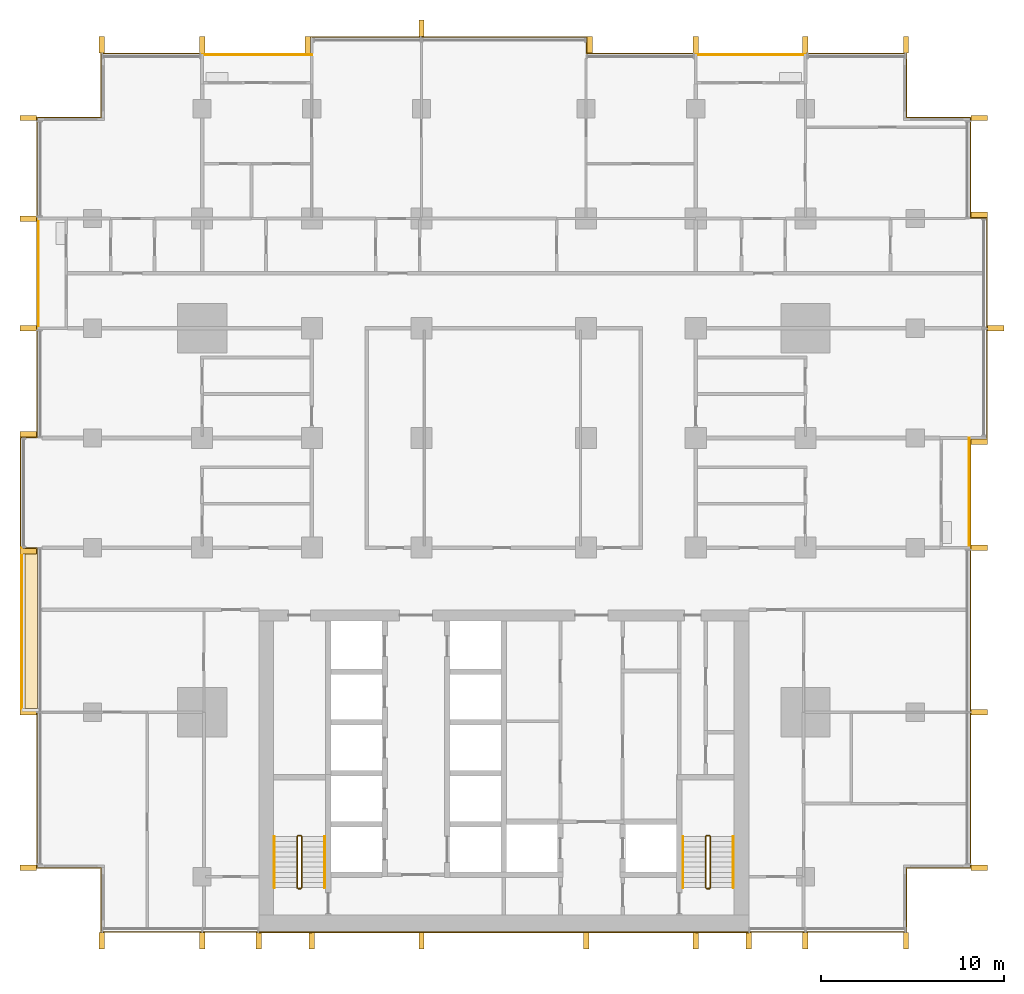
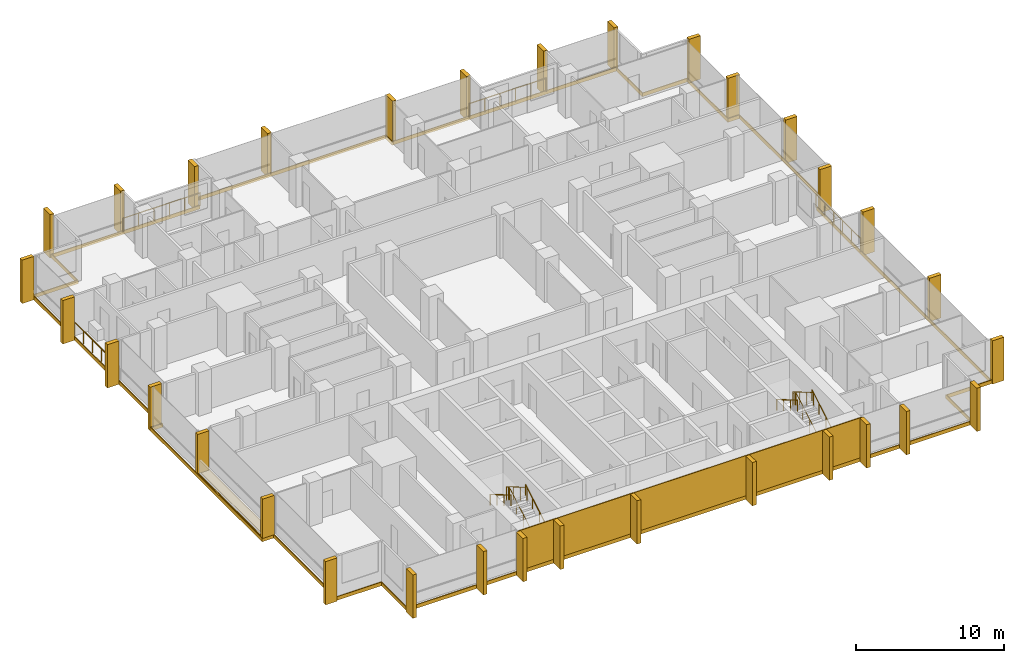
# One storey, part 17 of 17: 32 shading devices, 10 railings, 8 coverings.
"""IFC4 building model written with IfcOpenShell, lengths in metres."""

from ifc_helpers import new_model, si_unit, direction, frame, origin, origin_2d, place, context, subcontext, project, spatial, polyline, rectangle, circle, outline, extrude, material, layer, layer_set, type_object, element, save


model = new_model("IFC4")

# Units and contexts
model_context = context("Model", 3, precision=1e-05, world=origin(), true_north=direction((0.0, 1.0)))
body_context = subcontext(model_context, "Body", "Model", "MODEL_VIEW")
ifc_project = project(units=[si_unit("LENGTHUNIT", "METRE"), si_unit("AREAUNIT", "SQUARE_METRE"), si_unit("VOLUMEUNIT", "CUBIC_METRE"), si_unit("PLANEANGLEUNIT", "RADIAN"), si_unit("MASSUNIT", "GRAM", prefix="KILO")], contexts=[model_context])

# Site, building, storey
site_placement = place(None, origin())
site = spatial("IfcSite", under=ifc_project, at=site_placement, CompositionType="ELEMENT")
building_placement = place(site_placement, origin())
building = spatial("IfcBuilding", under=site, at=building_placement, Name="Finial Court Residences", CompositionType="ELEMENT")
storey_placement = place(building_placement, frame((0.0, 0.0, 120.699951171875)))
storey = spatial("IfcBuildingStorey", under=building, at=storey_placement, Name="L30", CompositionType="ELEMENT", Elevation=120.699951171875)

# Railings
ifc_material_1 = material(Name="Bronze anodised aluminium", Category="aluminium")
railing_type_1 = type_object("IfcRailingType", Name="Balcony guard 1100", PredefinedType="GUARDRAIL", material=ifc_material_1)
for number, where, name in (
    (1, (-16.5, 22.449951171875, 0.0), "E-L30-BALN2-R"),
    (2, (10.5, 22.449951171875, 0.0), "E-L30-BALN6-R"),
):
    element("IfcRailing", number, at=place(storey_placement, frame(where)), inside=storey, type_object=railing_type_1, Name=name, PredefinedType="GUARDRAIL", context=body_context, shape_type="SweptSolid", body=[
        extrude(circle(Radius=0.02392578125, at=origin_2d()), frame((0.0, 0.0, 1.076171875), z_axis=(1.0, 0.0, 0.0), x_axis=(0.0, 1.0, 0.0)), (0.0, 0.0, 1.0), 6.0),
        extrude(circle(Radius=0.02099609375, at=origin_2d()), origin(), (0.0, 0.0, 1.0), 1.052001953125),
        extrude(circle(Radius=0.02099609375, at=origin_2d()), frame((1.199951171875, 0.0, 0.0)), (0.0, 0.0, 1.0), 1.052001953125),
        extrude(circle(Radius=0.02099609375, at=origin_2d()), frame((2.39990234375, 0.0, 0.0)), (0.0, 0.0, 1.0), 1.052001953125),
        extrude(circle(Radius=0.02099609375, at=origin_2d()), frame((3.60009765625, 0.0, 0.0)), (0.0, 0.0, 1.0), 1.052001953125),
        extrude(circle(Radius=0.02099609375, at=origin_2d()), frame((4.800048828125, 0.0, 0.0)), (0.0, 0.0, 1.0), 1.052001953125),
        extrude(circle(Radius=0.02099609375, at=origin_2d()), frame((6.0, 0.0, 0.0)), (0.0, 0.0, 1.0), 1.052001953125),
    ])
for number, where, name in (
    (3, (25.449951171875, -4.5, 0.0), "E-L30-BALE3-R"),
    (4, (-25.449951171875, 7.5, 0.0), "E-L30-BALW5-R"),
):
    element("IfcRailing", number, at=place(storey_placement, frame(where)), inside=storey, type_object=railing_type_1, Name=name, PredefinedType="GUARDRAIL", context=body_context, shape_type="SweptSolid", body=[
        extrude(circle(Radius=0.02392578125, at=origin_2d()), frame((0.0, 0.0, 1.076171875), z_axis=(0.0, 1.0, 0.0), x_axis=(-1.0, 0.0, 0.0)), (0.0, 0.0, 1.0), 6.0),
        extrude(circle(Radius=0.02099609375, at=origin_2d()), origin(), (0.0, 0.0, 1.0), 1.052001953125),
        extrude(circle(Radius=0.02099609375, at=origin_2d()), frame((0.0, 1.199951171875, 0.0)), (0.0, 0.0, 1.0), 1.052001953125),
        extrude(circle(Radius=0.02099609375, at=origin_2d()), frame((0.0, 2.39990234375, 0.0)), (0.0, 0.0, 1.0), 1.052001953125),
        extrude(circle(Radius=0.02099609375, at=origin_2d()), frame((0.0, 3.60009765625, 0.0)), (0.0, 0.0, 1.0), 1.052001953125),
        extrude(circle(Radius=0.02099609375, at=origin_2d()), frame((0.0, 4.800048828125, 0.0)), (0.0, 0.0, 1.0), 1.052001953125),
        extrude(circle(Radius=0.02099609375, at=origin_2d()), frame((0.0, 6.0, 0.0)), (0.0, 0.0, 1.0), 1.052001953125),
    ])

# Coverings
ifc_material_2 = material(Name="Natural limestone", Category="masonry")
ifc_layer_1 = layer(ifc_material_2, 0.06005859375)
ifc_layer_set_1 = layer_set([ifc_layer_1], Name="Limestone cladding to the blind core face 60")
covering_type_1 = type_object("IfcCoveringType", Name="Limestone cladding to the blind core face 60", PredefinedType="CLADDING", material=ifc_layer_set_1)
covering_1_placement = place(storey_placement, origin())
element("IfcCovering", 5, at=covering_1_placement, inside=storey, type_object=covering_type_1, Name="E-L30-CLAD1", PredefinedType="CLADDING", context=body_context, shape_type="SweptSolid", body=[
    extrude(outline(polyline([(-10.5, -25.56005859375), (-10.5, -25.5), (-13.39990234375, -25.5), (-13.39990234375, -25.56005859375), (-10.5, -25.56005859375)])), origin(), (0.0, 0.0, 1.0), 3.300048828125),
])
covering_2_placement = place(storey_placement, origin())
element("IfcCovering", 6, at=covering_2_placement, inside=storey, type_object=covering_type_1, Name="E-L30-CLAD2", PredefinedType="CLADDING", context=body_context, shape_type="SweptSolid", body=[
    extrude(outline(polyline([(-4.5, -25.56005859375), (-4.5, -25.5), (-10.5, -25.5), (-10.5, -25.56005859375), (-4.5, -25.56005859375)])), origin(), (0.0, 0.0, 1.0), 3.300048828125),
])
covering_3_placement = place(storey_placement, origin())
element("IfcCovering", 7, at=covering_3_placement, inside=storey, type_object=covering_type_1, Name="E-L30-CLAD3", PredefinedType="CLADDING", context=body_context, shape_type="SweptSolid", body=[
    extrude(outline(polyline([(4.5, -25.56005859375), (4.5, -25.5), (-4.5, -25.5), (-4.5, -25.56005859375), (4.5, -25.56005859375)])), origin(), (0.0, 0.0, 1.0), 3.300048828125),
])
covering_4_placement = place(storey_placement, origin())
element("IfcCovering", 8, at=covering_4_placement, inside=storey, type_object=covering_type_1, Name="E-L30-CLAD4", PredefinedType="CLADDING", context=body_context, shape_type="SweptSolid", body=[
    extrude(outline(polyline([(10.5, -25.56005859375), (10.5, -25.5), (4.5, -25.5), (4.5, -25.56005859375), (10.5, -25.56005859375)])), origin(), (0.0, 0.0, 1.0), 3.300048828125),
])
covering_5_placement = place(storey_placement, origin())
element("IfcCovering", 9, at=covering_5_placement, inside=storey, type_object=covering_type_1, Name="E-L30-CLAD5", PredefinedType="CLADDING", context=body_context, shape_type="SweptSolid", body=[
    extrude(outline(polyline([(13.39990234375, -25.56005859375), (13.39990234375, -25.5), (10.5, -25.5), (10.5, -25.56005859375), (13.39990234375, -25.56005859375)])), origin(), (0.0, 0.0, 1.0), 3.300048828125),
])

# Shading devices
shading_device_type = type_object("IfcShadingDeviceType", Name="Limestone fin 300 x 900", PredefinedType="USERDEFINED", material=ifc_material_2)
for number, where, z_axis, x_axis, name in (
    (10, (-22.0, 23.010009765625, -0.300048828125), (0.0, 0.0, 1.0), (1.0, 0.0, 0.0), "E-L30-FIN-N1"),
    (11, (-16.5, 23.010009765625, -0.300048828125), (0.0, 0.0, 1.0), (1.0, 0.0, 0.0), "E-L30-FIN-N2"),
    (12, (-10.7099609375, 23.010009765625, -0.300048828125), (0.0, 0.0, 1.0), (1.0, 0.0, 0.0), "E-L30-FIN-N3"),
    (13, (-4.5, 23.909912109375, -0.300048828125), (0.0, 0.0, 1.0), (1.0, 0.0, 0.0), "E-L30-FIN-N4"),
    (14, (4.7099609375, 23.010009765625, -0.300048828125), (0.0, 0.0, 1.0), (1.0, 0.0, 0.0), "E-L30-FIN-N5"),
    (15, (10.5, 23.010009765625, -0.300048828125), (0.0, 0.0, 1.0), (1.0, 0.0, 0.0), "E-L30-FIN-N6"),
    (16, (16.5, 23.010009765625, -0.300048828125), (0.0, 0.0, 1.0), (1.0, 0.0, 0.0), "E-L30-FIN-N7"),
    (17, (22.0, 23.010009765625, -0.300048828125), (0.0, 0.0, 1.0), (1.0, 0.0, 0.0), "E-L30-FIN-N8"),
):
    element("IfcShadingDevice", number, at=place(storey_placement, frame(where, z_axis=z_axis, x_axis=x_axis)), inside=storey, type_object=shading_device_type, Name=name, ObjectType="FIN", PredefinedType="USERDEFINED", context=body_context, shape_type="SweptSolid", body=[
        extrude(rectangle(XDim=0.300048828125, YDim=0.89990234375, at=origin_2d()), origin(), (0.0, 0.0, 1.0), 3.580078125),
    ])
for number, where, z_axis, x_axis, name in (
    (18, (26.010009765625, -22.0, -0.300048828125), (0.0, 0.0, 1.0), (1.0, 0.0, 0.0), "E-L30-FIN-E9"),
    (19, (26.010009765625, -13.5, -0.300048828125), (0.0, 0.0, 1.0), (1.0, 0.0, 0.0), "E-L30-FIN-E10"),
    (20, (26.010009765625, -4.5, -0.300048828125), (0.0, 0.0, 1.0), (1.0, 0.0, 0.0), "E-L30-FIN-E11"),
    (21, (26.010009765625, 1.2900390625, -0.300048828125), (0.0, 0.0, 1.0), (1.0, 0.0, 0.0), "E-L30-FIN-E12"),
    (22, (26.909912109375, 7.5, -0.300048828125), (0.0, 0.0, 1.0), (1.0, 0.0, 0.0), "E-L30-FIN-E13"),
    (23, (26.010009765625, 13.7099609375, -0.300048828125), (0.0, 0.0, 1.0), (1.0, 0.0, 0.0), "E-L30-FIN-E14"),
    (24, (26.010009765625, 19.0, -0.300048828125), (0.0, 0.0, 1.0), (1.0, 0.0, 0.0), "E-L30-FIN-E15"),
):
    element("IfcShadingDevice", number, at=place(storey_placement, frame(where, z_axis=z_axis, x_axis=x_axis)), inside=storey, type_object=shading_device_type, Name=name, ObjectType="FIN", PredefinedType="USERDEFINED", context=body_context, shape_type="SweptSolid", body=[
        extrude(rectangle(XDim=0.89990234375, YDim=0.300048828125, at=origin_2d()), origin(), (0.0, 0.0, 1.0), 3.580078125),
    ])
for number, where, z_axis, x_axis, name in (
    (25, (-22.0, -26.010009765625, -0.300048828125), (0.0, 0.0, 1.0), (1.0, 0.0, 0.0), "E-L30-FIN-S16"),
    (26, (-16.5, -26.010009765625, -0.300048828125), (0.0, 0.0, 1.0), (1.0, 0.0, 0.0), "E-L30-FIN-S17"),
    (27, (-13.39990234375, -26.010009765625, -0.300048828125), (0.0, 0.0, 1.0), (1.0, 0.0, 0.0), "E-L30-FIN-S18"),
    (28, (-10.5, -26.010009765625, -0.300048828125), (0.0, 0.0, 1.0), (1.0, 0.0, 0.0), "E-L30-FIN-S19"),
    (29, (-4.5, -26.010009765625, -0.300048828125), (0.0, 0.0, 1.0), (1.0, 0.0, 0.0), "E-L30-FIN-S20"),
    (30, (4.5, -26.010009765625, -0.300048828125), (0.0, 0.0, 1.0), (1.0, 0.0, 0.0), "E-L30-FIN-S21"),
    (31, (10.5, -26.010009765625, -0.300048828125), (0.0, 0.0, 1.0), (1.0, 0.0, 0.0), "E-L30-FIN-S22"),
    (32, (13.39990234375, -26.010009765625, -0.300048828125), (0.0, 0.0, 1.0), (1.0, 0.0, 0.0), "E-L30-FIN-S23"),
    (33, (16.5, -26.010009765625, -0.300048828125), (0.0, 0.0, 1.0), (1.0, 0.0, 0.0), "E-L30-FIN-S24"),
    (34, (22.0, -26.010009765625, -0.300048828125), (0.0, 0.0, 1.0), (1.0, 0.0, 0.0), "E-L30-FIN-S25"),
):
    element("IfcShadingDevice", number, at=place(storey_placement, frame(where, z_axis=z_axis, x_axis=x_axis)), inside=storey, type_object=shading_device_type, Name=name, ObjectType="FIN", PredefinedType="USERDEFINED", context=body_context, shape_type="SweptSolid", body=[
        extrude(rectangle(XDim=0.300048828125, YDim=0.89990234375, at=origin_2d()), origin(), (0.0, 0.0, 1.0), 3.580078125),
    ])
shading_device_placement = place(storey_placement, frame((-26.010009765625, -22.0, -0.300048828125), z_axis=(0.0, 0.0, 1.0), x_axis=(1.0, 0.0, 0.0)))
element("IfcShadingDevice", 35, at=shading_device_placement, inside=storey, type_object=shading_device_type, Name="E-L30-FIN-W26", ObjectType="FIN", PredefinedType="USERDEFINED", context=body_context, shape_type="SweptSolid", body=[
    extrude(rectangle(XDim=0.89990234375, YDim=0.300048828125, at=origin_2d()), origin(), (0.0, 0.0, 1.0), 3.580078125),
])
for number, where, z_axis, x_axis, name in (
    (36, (-26.010009765625, -13.5, 0.0400390625), (0.0, 0.0, 1.0), (1.0, 0.0, 0.0), "E-L30-FIN-W27"),
    (37, (-26.010009765625, -4.7099609375, 0.0400390625), (0.0, 0.0, 1.0), (1.0, 0.0, 0.0), "E-L30-FIN-W28"),
):
    element("IfcShadingDevice", number, at=place(storey_placement, frame(where, z_axis=z_axis, x_axis=x_axis)), inside=storey, type_object=shading_device_type, Name=name, ObjectType="FIN", PredefinedType="USERDEFINED", context=body_context, shape_type="SweptSolid", body=[
        extrude(rectangle(XDim=0.89990234375, YDim=0.300048828125, at=origin_2d()), origin(), (0.0, 0.0, 1.0), 3.239990234375),
    ])
for number, where, z_axis, x_axis, name in (
    (38, (-26.010009765625, 1.7099609375, -0.300048828125), (0.0, 0.0, 1.0), (1.0, 0.0, 0.0), "E-L30-FIN-W29"),
    (39, (-26.010009765625, 7.5, -0.300048828125), (0.0, 0.0, 1.0), (1.0, 0.0, 0.0), "E-L30-FIN-W30"),
    (40, (-26.010009765625, 13.5, -0.300048828125), (0.0, 0.0, 1.0), (1.0, 0.0, 0.0), "E-L30-FIN-W31"),
    (41, (-26.010009765625, 19.0, -0.300048828125), (0.0, 0.0, 1.0), (1.0, 0.0, 0.0), "E-L30-FIN-W32"),
):
    element("IfcShadingDevice", number, at=place(storey_placement, frame(where, z_axis=z_axis, x_axis=x_axis)), inside=storey, type_object=shading_device_type, Name=name, ObjectType="FIN", PredefinedType="USERDEFINED", context=body_context, shape_type="SweptSolid", body=[
        extrude(rectangle(XDim=0.89990234375, YDim=0.300048828125, at=origin_2d()), origin(), (0.0, 0.0, 1.0), 3.580078125),
    ])

# Coverings
ifc_material_3 = material(Name="Pale limestone", Category="masonry")
ifc_layer_2 = layer(ifc_material_3, 0.06005859375)
ifc_layer_set_2 = layer_set([ifc_layer_2], Name="Pale limestone slab-edge band 60")
covering_type_2 = type_object("IfcCoveringType", Name="Pale limestone slab-edge band 60", PredefinedType="CLADDING", material=ifc_layer_set_2)
covering_6_placement = place(storey_placement, frame((0.0, 0.0, -0.300048828125)))
element("IfcCovering", 42, at=covering_6_placement, inside=storey, type_object=covering_type_2, Name="E-L30-BAND1", PredefinedType="CLADDING", context=body_context, shape_type="SweptSolid", body=[
    extrude(outline(polyline([(-25.56005859375, 1.56005859375), (-25.56005859375, 19.06005859375), (-22.06005859375, 19.06005859375), (-22.06005859375, 22.56005859375), (-10.56005859375, 22.56005859375), (-10.56005859375, 23.4599609375), (4.56005859375, 23.4599609375), (4.56005859375, 22.56005859375), (22.06005859375, 22.56005859375), (22.06005859375, 19.06005859375), (25.56005859375, 19.06005859375), (25.56005859375, 13.56005859375), (26.4599609375, 13.56005859375), (26.4599609375, 1.43994140625), (25.56005859375, 1.43994140625), (25.56005859375, -22.06005859375), (22.06005859375, -22.06005859375), (22.06005859375, -25.56005859375), (-22.06005859375, -25.56005859375), (-22.06005859375, -22.06005859375), (-25.56005859375, -22.06005859375), (-25.56005859375, -13.56005859375), (-26.4599609375, -13.56005859375), (-26.4599609375, 1.56005859375), (-25.56005859375, 1.56005859375)]), holes=[polyline([(-26.39990234375, -13.5), (-25.5, -13.5), (-25.5, -22.0), (-22.0, -22.0), (-22.0, -25.5), (22.0, -25.5), (22.0, -22.0), (25.5, -22.0), (25.5, -4.5), (25.5, 1.5), (26.39990234375, 1.5), (26.39990234375, 7.5), (26.39990234375, 13.5), (25.5, 13.5), (25.5, 19.0), (22.0, 19.0), (22.0, 22.5), (16.5, 22.5), (10.5, 22.5), (4.5, 22.5), (4.5, 23.39990234375), (-4.5, 23.39990234375), (-10.5, 23.39990234375), (-10.5, 22.5), (-16.5, 22.5), (-22.0, 22.5), (-22.0, 19.0), (-25.5, 19.0), (-25.5, 13.5), (-25.5, 7.5), (-25.5, 1.5), (-26.39990234375, 1.5), (-26.39990234375, -4.5), (-26.39990234375, -13.5)])]), origin(), (0.0, 0.0, 1.0), 0.300048828125),
])
ifc_material_4 = material(Name="Bitumen membrane")
ifc_layer_3 = layer(ifc_material_4, 0.0400390625)
ifc_layer_set_3 = layer_set([ifc_layer_3], Name="Push box roofing, bitumen membrane 40")
covering_type_3 = type_object("IfcCoveringType", Name="Push box roofing, bitumen membrane 40", PredefinedType="ROOFING", material=ifc_layer_set_3)
covering_7_placement = place(storey_placement, origin())
element("IfcCovering", 43, at=covering_7_placement, inside=storey, type_object=covering_type_3, Name="E-L30-LED1", PredefinedType="ROOFING", context=body_context, shape_type="SweptSolid", body=[
    extrude(outline(polyline([(-25.5, -13.300048828125), (-26.199951171875, -13.300048828125), (-26.199951171875, -4.5), (-25.5, -4.5), (-25.5, -13.300048828125)])), origin(), (0.0, 0.0, 1.0), 0.0400390625),
])
covering_8_placement = place(storey_placement, origin())
element("IfcCovering", 44, at=covering_8_placement, inside=storey, type_object=covering_type_3, Name="E-L30-LED1b", PredefinedType="ROOFING", context=body_context, shape_type="SweptSolid", body=[
    extrude(outline(polyline([(-25.5, -13.5), (-26.39990234375, -13.5), (-26.39990234375, -4.5), (-26.35009765625, -4.5), (-26.35009765625, -13.300048828125), (-26.35009765625, -13.300048828125), (-26.35009765625, -13.449951171875), (-25.5, -13.449951171875), (-25.5, -13.5)])), origin(), (0.0, 0.0, 1.0), 0.0400390625),
])

# Railings
ifc_material_5 = material(Name="Stainless steel railing", Category="steel")
railing_type_2 = type_object("IfcRailingType", Name="Stair guard 1100", PredefinedType="GUARDRAIL", material=ifc_material_5)
railing_1_placement = place(storey_placement, frame((-11.10009765625, -23.14990234375, 0.0)))
element("IfcRailing", 45, at=railing_1_placement, inside=storey, type_object=railing_type_2, Name="L30 ST-1 stair guard 1", PredefinedType="GUARDRAIL", context=body_context, shape_type="SweptSolid", body=[
    extrude(circle(Radius=0.02392578125, at=origin_2d()), frame((0.0, 0.0, 1.076171875), z_axis=(-1.0, 0.0, 0.0), x_axis=(0.0, -1.0, 0.0)), (0.0, 0.0, 1.0), 0.14990234375),
    extrude(circle(Radius=0.02392578125, at=origin_2d()), frame((-0.14990234375, 0.0, 1.076171875), z_axis=(0.760004195007, 0.189305074214, 0.621737253547), x_axis=(-0.241699205484, 0.970351222016, 0.0)), (0.0, 0.0, 1.0), 0.26318359375),
    extrude(circle(Radius=0.02392578125, at=origin_2d()), frame((0.050048828125, 0.0498046875, 1.23974609375), z_axis=(0.0, 0.863360870873, 0.504586966384), x_axis=(-1.0, 0.0, 0.0)), (0.0, 0.0, 1.0), 3.2431640625),
    extrude(circle(Radius=0.02392578125, at=origin_2d()), frame((0.050048828125, 2.849853515625, 2.8759765625), z_axis=(-0.707106781187, 0.707106781187, 0.0), x_axis=(-0.707106781187, -0.707106781187, 0.0)), (0.0, 0.0, 1.0), 0.07080078125),
    extrude(circle(Radius=0.02392578125, at=origin_2d()), frame((0.0, 2.89990234375, 2.8759765625), z_axis=(-1.0, 0.0, 0.0), x_axis=(0.0, -1.0, 0.0)), (0.0, 0.0, 1.0), 0.14990234375),
    extrude(circle(Radius=0.02392578125, at=origin_2d()), frame((-0.14990234375, 2.89990234375, 2.8759765625), z_axis=(-0.280808744504, -0.280808744504, 0.917765164963), x_axis=(0.707106781187, -0.707106781187, 0.0)), (0.0, 0.0, 1.0), 0.17822265625),
    extrude(circle(Radius=0.02392578125, at=origin_2d()), frame((-0.199951171875, 2.849853515625, 3.03955078125), z_axis=(0.0, -0.863360870873, 0.504586966384), x_axis=(1.0, 0.0, 0.0)), (0.0, 0.0, 1.0), 3.2431640625),
    extrude(circle(Radius=0.02099609375, at=origin_2d()), origin(), (0.0, 0.0, 1.0), 1.052001953125),
    extrude(circle(Radius=0.02099609375, at=origin_2d()), frame((-0.14990234375, 0.0, 0.0)), (0.0, 0.0, 1.0), 1.052001953125),
    extrude(circle(Radius=0.02099609375, at=origin_2d()), frame((0.050048828125, 0.0498046875, 0.16357421875)), (0.0, 0.0, 1.0), 1.052001953125),
    extrude(circle(Radius=0.02099609375, at=origin_2d()), frame((0.050048828125, 0.983154296875, 0.708984375)), (0.0, 0.0, 1.0), 1.052001953125),
    extrude(circle(Radius=0.02099609375, at=origin_2d()), frame((0.050048828125, 1.91650390625, 1.254638671875)), (0.0, 0.0, 1.0), 1.052001953125),
    extrude(circle(Radius=0.02099609375, at=origin_2d()), frame((0.050048828125, 2.849853515625, 1.800048828125)), (0.0, 0.0, 1.0), 1.052001953125),
    extrude(circle(Radius=0.02099609375, at=origin_2d()), frame((0.0, 2.89990234375, 1.800048828125)), (0.0, 0.0, 1.0), 1.052001953125),
    extrude(circle(Radius=0.02099609375, at=origin_2d()), frame((-0.14990234375, 2.89990234375, 1.800048828125)), (0.0, 0.0, 1.0), 1.052001953125),
    extrude(circle(Radius=0.02099609375, at=origin_2d()), frame((-0.199951171875, 2.849853515625, 1.963623046875)), (0.0, 0.0, 1.0), 1.052001953125),
    extrude(circle(Radius=0.02099609375, at=origin_2d()), frame((-0.199951171875, 1.91650390625, 2.509033203125)), (0.0, 0.0, 1.0), 1.052001953125),
    extrude(circle(Radius=0.02099609375, at=origin_2d()), frame((-0.199951171875, 0.983154296875, 3.0546875)), (0.0, 0.0, 1.0), 1.052001953125),
    extrude(circle(Radius=0.02099609375, at=origin_2d()), frame((-0.199951171875, 0.0498046875, 3.60009765625)), (0.0, 0.0, 1.0), 1.052001953125),
])
railing_2_placement = place(storey_placement, frame((11.25, -23.14990234375, 0.0)))
element("IfcRailing", 46, at=railing_2_placement, inside=storey, type_object=railing_type_2, Name="L30 ST-2 stair guard 1", PredefinedType="GUARDRAIL", context=body_context, shape_type="SweptSolid", body=[
    extrude(circle(Radius=0.02392578125, at=origin_2d()), frame((0.0, 0.0, 1.076171875), z_axis=(-1.0, 0.0, 0.0), x_axis=(0.0, -1.0, 0.0)), (0.0, 0.0, 1.0), 0.14990234375),
    extrude(circle(Radius=0.02392578125, at=origin_2d()), frame((-0.14990234375, 0.0, 1.076171875), z_axis=(0.760004195007, 0.189305074214, 0.621737253547), x_axis=(-0.241699205484, 0.970351222016, 0.0)), (0.0, 0.0, 1.0), 0.26318359375),
    extrude(circle(Radius=0.02392578125, at=origin_2d()), frame((0.050048828125, 0.0498046875, 1.23974609375), z_axis=(0.0, 0.863360870873, 0.504586966384), x_axis=(-1.0, 0.0, 0.0)), (0.0, 0.0, 1.0), 3.2431640625),
    extrude(circle(Radius=0.02392578125, at=origin_2d()), frame((0.050048828125, 2.849853515625, 2.8759765625), z_axis=(-0.707106781187, 0.707106781187, 0.0), x_axis=(-0.707106781187, -0.707106781187, 0.0)), (0.0, 0.0, 1.0), 0.07080078125),
    extrude(circle(Radius=0.02392578125, at=origin_2d()), frame((0.0, 2.89990234375, 2.8759765625), z_axis=(-1.0, 0.0, 0.0), x_axis=(0.0, -1.0, 0.0)), (0.0, 0.0, 1.0), 0.14990234375),
    extrude(circle(Radius=0.02392578125, at=origin_2d()), frame((-0.14990234375, 2.89990234375, 2.8759765625), z_axis=(-0.280808744504, -0.280808744504, 0.917765164963), x_axis=(0.707106781187, -0.707106781187, 0.0)), (0.0, 0.0, 1.0), 0.17822265625),
    extrude(circle(Radius=0.02392578125, at=origin_2d()), frame((-0.199951171875, 2.849853515625, 3.03955078125), z_axis=(0.0, -0.863360870873, 0.504586966384), x_axis=(1.0, 0.0, 0.0)), (0.0, 0.0, 1.0), 3.2431640625),
    extrude(circle(Radius=0.02099609375, at=origin_2d()), origin(), (0.0, 0.0, 1.0), 1.052001953125),
    extrude(circle(Radius=0.02099609375, at=origin_2d()), frame((-0.14990234375, 0.0, 0.0)), (0.0, 0.0, 1.0), 1.052001953125),
    extrude(circle(Radius=0.02099609375, at=origin_2d()), frame((0.050048828125, 0.0498046875, 0.16357421875)), (0.0, 0.0, 1.0), 1.052001953125),
    extrude(circle(Radius=0.02099609375, at=origin_2d()), frame((0.050048828125, 0.983154296875, 0.708984375)), (0.0, 0.0, 1.0), 1.052001953125),
    extrude(circle(Radius=0.02099609375, at=origin_2d()), frame((0.050048828125, 1.91650390625, 1.254638671875)), (0.0, 0.0, 1.0), 1.052001953125),
    extrude(circle(Radius=0.02099609375, at=origin_2d()), frame((0.050048828125, 2.849853515625, 1.800048828125)), (0.0, 0.0, 1.0), 1.052001953125),
    extrude(circle(Radius=0.02099609375, at=origin_2d()), frame((0.0, 2.89990234375, 1.800048828125)), (0.0, 0.0, 1.0), 1.052001953125),
    extrude(circle(Radius=0.02099609375, at=origin_2d()), frame((-0.14990234375, 2.89990234375, 1.800048828125)), (0.0, 0.0, 1.0), 1.052001953125),
    extrude(circle(Radius=0.02099609375, at=origin_2d()), frame((-0.199951171875, 2.849853515625, 1.963623046875)), (0.0, 0.0, 1.0), 1.052001953125),
    extrude(circle(Radius=0.02099609375, at=origin_2d()), frame((-0.199951171875, 1.91650390625, 2.509033203125)), (0.0, 0.0, 1.0), 1.052001953125),
    extrude(circle(Radius=0.02099609375, at=origin_2d()), frame((-0.199951171875, 0.983154296875, 3.0546875)), (0.0, 0.0, 1.0), 1.052001953125),
    extrude(circle(Radius=0.02099609375, at=origin_2d()), frame((-0.199951171875, 0.0498046875, 3.60009765625)), (0.0, 0.0, 1.0), 1.052001953125),
])
railing_type_3 = type_object("IfcRailingType", Name="Stair handrail 900", PredefinedType="HANDRAIL", material=ifc_material_5)
railing_3_placement = place(storey_placement, frame((-9.800048828125, -23.10009765625, 0.16357421875)))
element("IfcRailing", 47, at=railing_3_placement, inside=storey, type_object=railing_type_3, Name="L30 ST-1 stair handrail 1", PredefinedType="HANDRAIL", context=body_context, shape_type="SweptSolid", body=[
    extrude(circle(Radius=0.02392578125, at=origin_2d()), frame((0.0, 0.0, 0.8759765625), z_axis=(0.0, 0.863360870873, 0.504586966384), x_axis=(-1.0, 0.0, 0.0)), (0.0, 0.0, 1.0), 3.2431640625),
    extrude(circle(Radius=0.02099609375, at=origin_2d()), origin(), (0.0, 0.0, 1.0), 0.851806640625),
    extrude(circle(Radius=0.02099609375, at=origin_2d()), frame((0.0, 0.933349609375, 0.54541015625)), (0.0, 0.0, 1.0), 0.851806640625),
    extrude(circle(Radius=0.02099609375, at=origin_2d()), frame((0.0, 1.86669921875, 1.091064453125)), (0.0, 0.0, 1.0), 0.851806640625),
    extrude(circle(Radius=0.02099609375, at=origin_2d()), frame((0.0, 2.800048828125, 1.636474609375)), (0.0, 0.0, 1.0), 0.851806640625),
])
railing_4_placement = place(storey_placement, frame((-12.550048828125, -20.300048828125, 1.963623046875)))
element("IfcRailing", 48, at=railing_4_placement, inside=storey, type_object=railing_type_3, Name="L30 ST-1 stair handrail 2", PredefinedType="HANDRAIL", context=body_context, shape_type="SweptSolid", body=[
    extrude(circle(Radius=0.02392578125, at=origin_2d()), frame((0.0, 0.0, 0.8759765625), z_axis=(0.0, -0.863360870873, 0.504586966384), x_axis=(1.0, 0.0, 0.0)), (0.0, 0.0, 1.0), 3.2431640625),
    extrude(circle(Radius=0.02099609375, at=origin_2d()), origin(), (0.0, 0.0, 1.0), 0.851806640625),
    extrude(circle(Radius=0.02099609375, at=origin_2d()), frame((0.0, -0.933349609375, 0.54541015625)), (0.0, 0.0, 1.0), 0.851806640625),
    extrude(circle(Radius=0.02099609375, at=origin_2d()), frame((0.0, -1.86669921875, 1.091064453125)), (0.0, 0.0, 1.0), 0.851806640625),
    extrude(circle(Radius=0.02099609375, at=origin_2d()), frame((0.0, -2.800048828125, 1.636474609375)), (0.0, 0.0, 1.0), 0.851806640625),
])
railing_5_placement = place(storey_placement, frame((12.550048828125, -23.10009765625, 0.16357421875)))
element("IfcRailing", 49, at=railing_5_placement, inside=storey, type_object=railing_type_3, Name="L30 ST-2 stair handrail 1", PredefinedType="HANDRAIL", context=body_context, shape_type="SweptSolid", body=[
    extrude(circle(Radius=0.02392578125, at=origin_2d()), frame((0.0, 0.0, 0.8759765625), z_axis=(0.0, 0.863360870873, 0.504586966384), x_axis=(-1.0, 0.0, 0.0)), (0.0, 0.0, 1.0), 3.2431640625),
    extrude(circle(Radius=0.02099609375, at=origin_2d()), origin(), (0.0, 0.0, 1.0), 0.851806640625),
    extrude(circle(Radius=0.02099609375, at=origin_2d()), frame((0.0, 0.933349609375, 0.54541015625)), (0.0, 0.0, 1.0), 0.851806640625),
    extrude(circle(Radius=0.02099609375, at=origin_2d()), frame((0.0, 1.86669921875, 1.091064453125)), (0.0, 0.0, 1.0), 0.851806640625),
    extrude(circle(Radius=0.02099609375, at=origin_2d()), frame((0.0, 2.800048828125, 1.636474609375)), (0.0, 0.0, 1.0), 0.851806640625),
])
railing_6_placement = place(storey_placement, frame((9.800048828125, -20.300048828125, 1.963623046875)))
element("IfcRailing", 50, at=railing_6_placement, inside=storey, type_object=railing_type_3, Name="L30 ST-2 stair handrail 2", PredefinedType="HANDRAIL", context=body_context, shape_type="SweptSolid", body=[
    extrude(circle(Radius=0.02392578125, at=origin_2d()), frame((0.0, 0.0, 0.8759765625), z_axis=(0.0, -0.863360870873, 0.504586966384), x_axis=(1.0, 0.0, 0.0)), (0.0, 0.0, 1.0), 3.2431640625),
    extrude(circle(Radius=0.02099609375, at=origin_2d()), origin(), (0.0, 0.0, 1.0), 0.851806640625),
    extrude(circle(Radius=0.02099609375, at=origin_2d()), frame((0.0, -0.933349609375, 0.54541015625)), (0.0, 0.0, 1.0), 0.851806640625),
    extrude(circle(Radius=0.02099609375, at=origin_2d()), frame((0.0, -1.86669921875, 1.091064453125)), (0.0, 0.0, 1.0), 0.851806640625),
    extrude(circle(Radius=0.02099609375, at=origin_2d()), frame((0.0, -2.800048828125, 1.636474609375)), (0.0, 0.0, 1.0), 0.851806640625),
])

save(model, "model.ifc")
